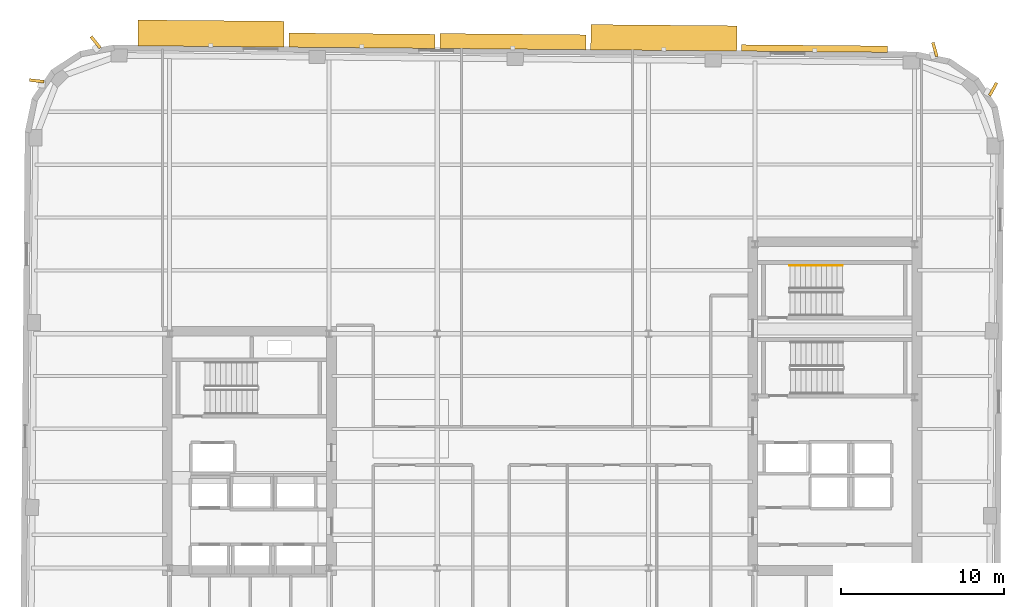
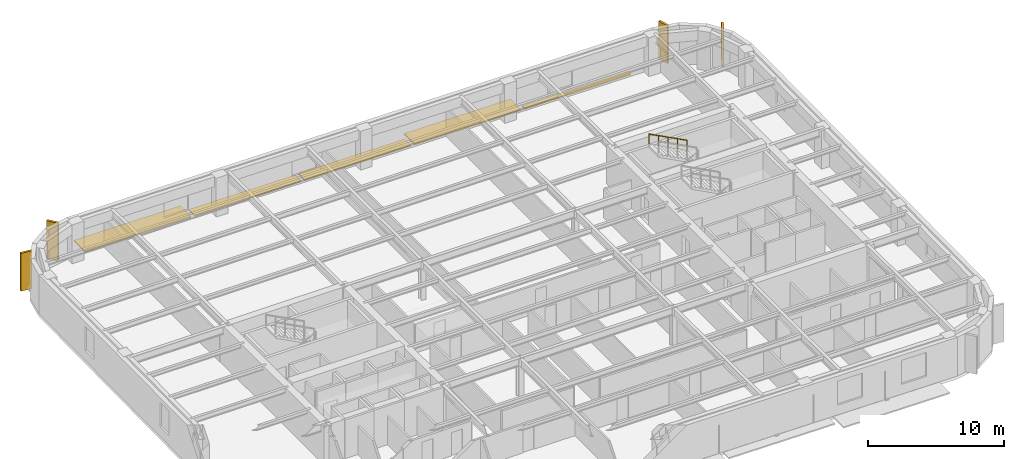
# One storey, part 12 of 12: 9 shading devices, 1 railing.
"""IFC4 building model written with IfcOpenShell, lengths in metres."""

from ifc_helpers import new_model, si_unit, direction, frame, origin, origin_2d, place, context, subcontext, project, spatial, rectangle, circle, extrude, material, type_object, element, save


model = new_model("IFC4")

# Units and contexts
model_context = context("Model", 3, precision=1e-05, world=origin(), true_north=direction((0.0, 1.0)))
body_context = subcontext(model_context, "Body", "Model", "MODEL_VIEW")
ifc_project = project(units=[si_unit("LENGTHUNIT", "METRE"), si_unit("AREAUNIT", "SQUARE_METRE"), si_unit("VOLUMEUNIT", "CUBIC_METRE"), si_unit("PLANEANGLEUNIT", "RADIAN"), si_unit("MASSUNIT", "GRAM", prefix="KILO")], contexts=[model_context])

# Site, building, storey
site_placement = place(None, origin())
site = spatial("IfcSite", under=ifc_project, at=site_placement, CompositionType="ELEMENT")
building_placement = place(site_placement, origin())
building = spatial("IfcBuilding", under=site, at=building_placement, Name="Kolvaren Arena Tower", CompositionType="ELEMENT")
storey_placement = place(building_placement, frame((0.0, 0.0, 199.699951171875)))
storey = spatial("IfcBuildingStorey", under=building, at=storey_placement, Name="L48", CompositionType="ELEMENT", Elevation=199.699951171875)

# Railing
ifc_material_1 = material(Name="Brushed stainless steel handrail", Category="steel")
railing_type = type_object("IfcRailingType", Name="HRAIL-900", PredefinedType="HANDRAIL", material=ifc_material_1)
railing_placement = place(storey_placement, frame((55.919921875, 38.050048828125, 2.04541015625)))
element("IfcRailing", 1, at=railing_placement, inside=storey, type_object=railing_type, Name="L48 ST-E2 stair handrail 2", PredefinedType="HANDRAIL", context=body_context, shape_type="SweptSolid", body=[
    extrude(circle(Radius=0.02392578125, at=origin_2d()), frame((0.0, 0.0, 0.8759765625), z_axis=(-0.884993431791, 0.0, 0.465603506952), x_axis=(0.0, -1.0, 0.0)), (0.0, 0.0, 1.0), 3.6611328125),
    extrude(circle(Radius=0.02099609375, at=origin_2d()), origin(), (0.0, 0.0, 1.0), 0.851806640625),
    extrude(circle(Radius=0.02099609375, at=origin_2d()), frame((-0.81005859375, 0.0, 0.42626953125)), (0.0, 0.0, 1.0), 0.851806640625),
    extrude(circle(Radius=0.02099609375, at=origin_2d()), frame((-1.6201171875, 0.0, 0.852294921875)), (0.0, 0.0, 1.0), 0.851806640625),
    extrude(circle(Radius=0.02099609375, at=origin_2d()), frame((-2.429931640625, 0.0, 1.2783203125)), (0.0, 0.0, 1.0), 0.851806640625),
    extrude(circle(Radius=0.02099609375, at=origin_2d()), frame((-3.239990234375, 0.0, 1.70458984375)), (0.0, 0.0, 1.0), 0.851806640625),
])

# Shading devices
ifc_material_2 = material(Name="Precast architectural concrete C50/60 rib fin", Category="concrete")
shading_device_type_1 = type_object("IfcShadingDeviceType", Name="SHAD-FIN-28", PredefinedType="USERDEFINED", material=ifc_material_2)
for number, where, z_axis, x_axis, name in (
    (2, (65.18115234375, 48.885009765625, 0.02001953125), (0.0, 0.0, 1.0), (0.480994889615, 0.876723397751, 0.0), "Precast 28-Deg Corner Rib Fin (L48)"),
    (3, (61.602783203125, 51.321533203125, 0.02001953125), (0.0, 0.0, 1.0), (-0.279812257957, 0.960054738177, 0.0), "Precast 28-Deg Corner Rib Fin (L48)"),
    (4, (9.997802734375, 51.77197265625, 0.02001953125), (0.0, 0.0, 1.0), (-0.625923472184, 0.779884483093, 0.0), "Precast 28-Deg Corner Rib Fin (L48)"),
    (5, (6.37744140625, 49.398193359375, 0.02001953125), (0.0, 0.0, 1.0), (-0.994056908234, 0.108861669984, 0.0), "Precast 28-Deg Corner Rib Fin (L48)"),
):
    element("IfcShadingDevice", number, at=place(storey_placement, frame(where, z_axis=z_axis, x_axis=x_axis)), inside=storey, type_object=shading_device_type_1, Name=name, ObjectType="FIN", PredefinedType="USERDEFINED", context=body_context, shape_type="SweptSolid", body=[
        extrude(rectangle(XDim=0.89990234375, YDim=0.179931640625, at=origin_2d()), origin(), (0.0, 0.0, 1.0), 3.39990234375),
    ])
ifc_material_3 = material(Name="Architectural precast GFRC and anodised aluminium sunshade", Category="concrete")
shading_device_type_2 = type_object("IfcShadingDeviceType", Name="SHAD-SINE-A", PredefinedType="USERDEFINED", material=ifc_material_3)
shading_device_1_placement = place(storey_placement, frame((26.372802734375, 51.866455078125, -0.139892578125), z_axis=(0.0, 0.0, 1.0), x_axis=(0.999961923064, -0.008726535498, 0.0)))
element("IfcShadingDevice", 6, at=shading_device_1_placement, inside=storey, type_object=shading_device_type_2, Name="Sinusoidal Slab-Edge Sunshade Louvre (L48)", ObjectType="LOUVRE", PredefinedType="USERDEFINED", context=body_context, shape_type="SweptSolid", body=[
    extrude(rectangle(XDim=8.97998046875, YDim=0.8701171875, at=origin_2d()), origin(), (0.0, 0.0, 1.0), 0.1201171875),
])
shading_device_2_placement = place(storey_placement, frame((35.652587890625, 51.810302734375, -0.139892578125), z_axis=(0.0, 0.0, 1.0), x_axis=(0.999961923064, -0.008726535498, 0.0)))
element("IfcShadingDevice", 7, at=shading_device_2_placement, inside=storey, type_object=shading_device_type_2, Name="Sinusoidal Slab-Edge Sunshade Louvre (L48)", ObjectType="LOUVRE", PredefinedType="USERDEFINED", context=body_context, shape_type="SweptSolid", body=[
    extrude(rectangle(XDim=8.97998046875, YDim=0.919677734375, at=origin_2d()), origin(), (0.0, 0.0, 1.0), 0.1201171875),
])
shading_device_3_placement = place(storey_placement, frame((54.20947265625, 51.385498046875, -0.139892578125), z_axis=(0.0, 0.0, 1.0), x_axis=(0.999961923064, -0.008726535498, 0.0)))
element("IfcShadingDevice", 8, at=shading_device_3_placement, inside=storey, type_object=shading_device_type_2, Name="Sinusoidal Slab-Edge Sunshade Louvre (L48)", ObjectType="LOUVRE", PredefinedType="USERDEFINED", context=body_context, shape_type="SweptSolid", body=[
    extrude(rectangle(XDim=8.97998046875, YDim=0.393798828125, at=origin_2d()), origin(), (0.0, 0.0, 1.0), 0.1201171875),
])
shading_device_type_3 = type_object("IfcShadingDeviceType", Name="SHAD-SINE-B", PredefinedType="JALOUSIE", material=ifc_material_3)
shading_device_4_placement = place(storey_placement, frame((17.09619140625, 52.30712890625, -0.139892578125), z_axis=(0.0, 0.0, 1.0), x_axis=(0.999961923064, -0.008726535498, 0.0)))
element("IfcShadingDevice", 9, at=shading_device_4_placement, inside=storey, type_object=shading_device_type_3, Name="Sinusoidal Slab-Edge Sunshade Louvre (L48)", PredefinedType="JALOUSIE", context=body_context, shape_type="SweptSolid", body=[
    extrude(rectangle(XDim=8.97998046875, YDim=1.589599609375, at=origin_2d()), origin(), (0.0, 0.0, 1.0), 0.1201171875),
])
shading_device_5_placement = place(storey_placement, frame((44.934814453125, 52.045654296875, -0.139892578125), z_axis=(0.0, 0.0, 1.0), x_axis=(0.999961923064, -0.008726535498, 0.0)))
element("IfcShadingDevice", 10, at=shading_device_5_placement, inside=storey, type_object=shading_device_type_3, Name="Sinusoidal Slab-Edge Sunshade Louvre (L48)", PredefinedType="JALOUSIE", context=body_context, shape_type="SweptSolid", body=[
    extrude(rectangle(XDim=8.97998046875, YDim=1.55224609375, at=origin_2d()), origin(), (0.0, 0.0, 1.0), 0.1201171875),
])

save(model, "model.ifc")
